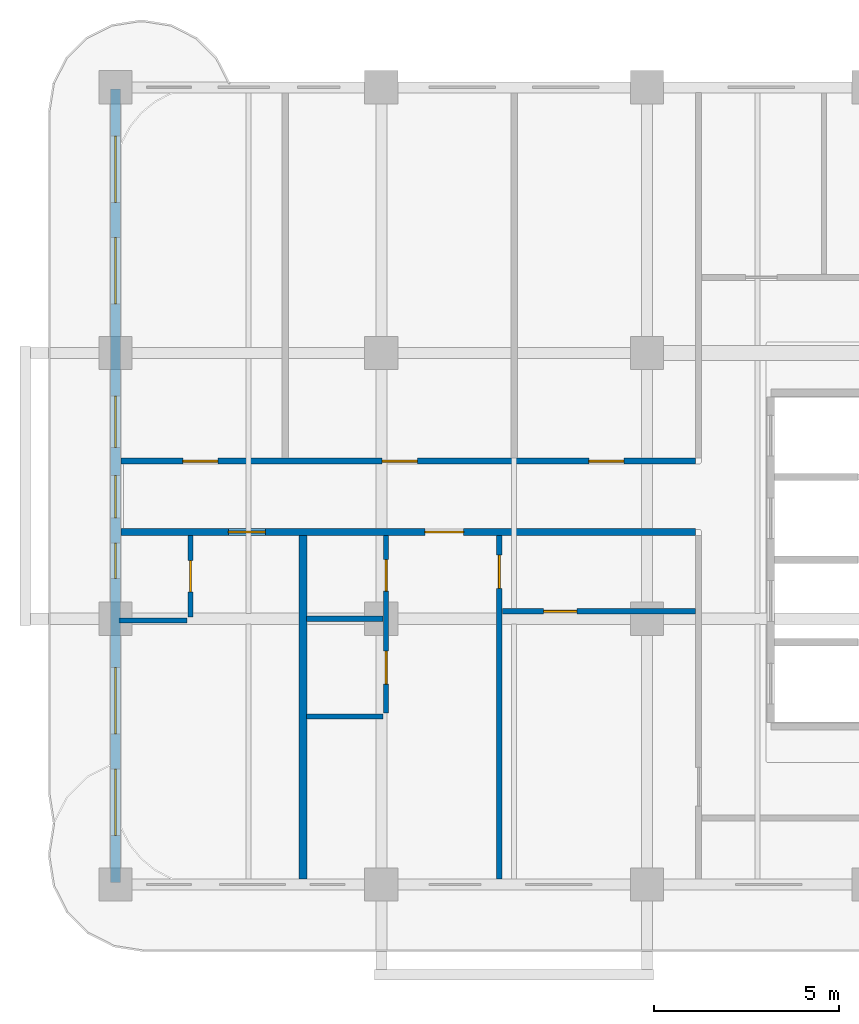
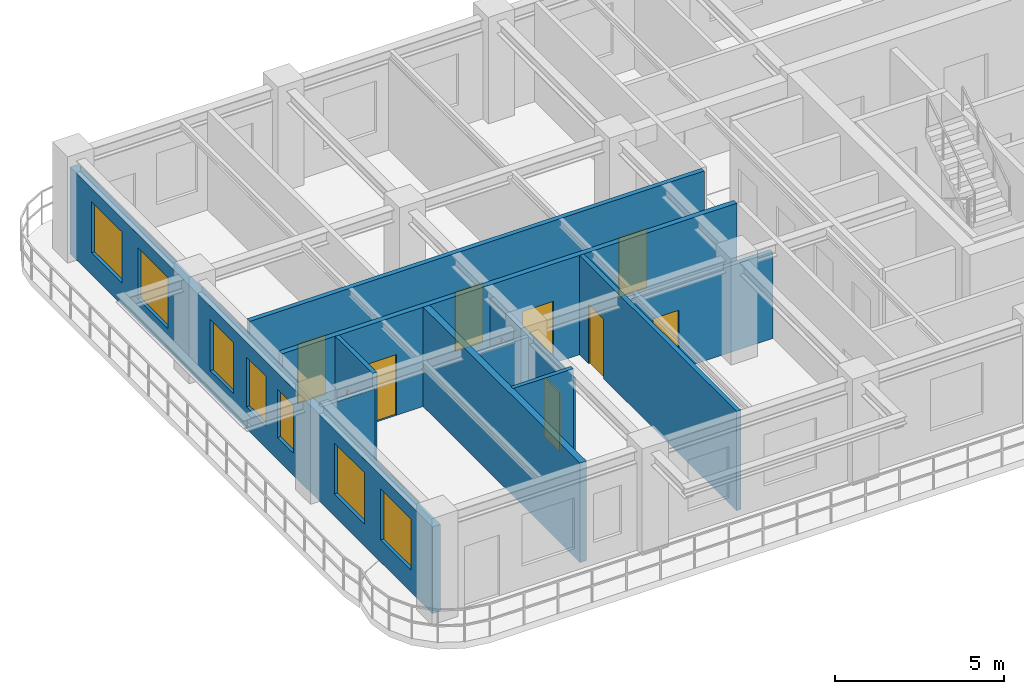
# One storey, part 2 of 7: 11 walls, 10 doors, 7 windows, 17 openings.
"""IFC4 building model written with IfcOpenShell, lengths in metres."""

from ifc_helpers import new_model, si_unit, derived_unit, direction, frame, frame_2d, origin, place, context, subcontext, project, spatial, rectangle, extrude, source, transform, mapped, material, layer, layer_set, type_object, type_shapes, element, fill, save


model = new_model("IFC4")

# Units and contexts
model_context = context("Model", 3, precision=1e-05, world=origin(), true_north=direction((0.0, 1.0)))
body_context = subcontext(model_context, "Body", "Model", "MODEL_VIEW")
ifc_project = project(units=[si_unit("LENGTHUNIT", "METRE"), si_unit("AREAUNIT", "SQUARE_METRE"), si_unit("VOLUMEUNIT", "CUBIC_METRE"), si_unit("PLANEANGLEUNIT", "RADIAN"), si_unit("MASSUNIT", "GRAM", prefix="KILO"), si_unit("THERMODYNAMICTEMPERATUREUNIT", "KELVIN"), si_unit("POWERUNIT", "WATT"), derived_unit("THERMALTRANSMITTANCEUNIT", [(si_unit("POWERUNIT", "WATT"), 1), (si_unit("AREAUNIT", "SQUARE_METRE"), -1), (si_unit("THERMODYNAMICTEMPERATUREUNIT", "KELVIN"), -1)])], contexts=[model_context])

# Site, building, storey
site_placement = place(None, origin())
site = spatial("IfcSite", under=ifc_project, at=site_placement, CompositionType="ELEMENT")
building_placement = place(site_placement, origin())
building = spatial("IfcBuilding", under=site, at=building_placement, Name="Zahravan Archway Hotel and Residences", CompositionType="ELEMENT")
storey_placement = place(building_placement, frame((0.0, 0.0, 244.25)))
storey = spatial("IfcBuildingStorey", under=building, at=storey_placement, Name="L61", CompositionType="ELEMENT", Elevation=244.25)

# Wall, openings, windows
ifc_material_1 = material(Name="Honed Red-Ochre Sandstone & Insulated Block", Category="masonry")
ifc_layer_1 = layer(ifc_material_1, 0.280029296875, Name="Honed Red-Ochre Sandstone & Insulated Block", Category="masonry")
ifc_layer_set_1 = layer_set([ifc_layer_1], Name="Honed Red-Ochre Sandstone & Insulated Block")
wall_type_1 = type_object("IfcWallType", Name="EW-LOG-280", PredefinedType="SOLIDWALL", material=ifc_layer_set_1)
wall_1_placement = place(storey_placement, frame((14.39990234375, 0.050048828125, 0.0), z_axis=(0.0, 0.0, 1.0), x_axis=(0.0, 1.0, 0.0)))
wall_1 = element("IfcWall", 1, at=wall_1_placement, inside=storey, type_object=wall_type_1, Name="L61 Exterior Sandstone Wall WA-W", PredefinedType="SOLIDWALL", context=body_context, shape_type="SweptSolid", body=[
    extrude(rectangle(XDim=21.5, YDim=0.280029296875, at=frame_2d((10.75, 0.0))), origin(), (0.0, 0.0, 1.0), 3.135009765625),
])
opening_1_placement = place(wall_1_placement, frame((1.27490234375, 0.0, 0.800048828125)))
opening_1 = element("IfcOpeningElement", 2, at=opening_1_placement, cuts=wall_1, Name="Opening W-02", PredefinedType="OPENING", context=body_context, shape_type="SweptSolid", body=[
    extrude(rectangle(XDim=1.800048828125, YDim=1.85009765625, at=frame_2d((0.89990234375, 0.925048828125))), frame((0.0, 0.14990234375, 0.0), z_axis=(0.0, -1.0, 0.0), x_axis=(1.0, 0.0, 0.0)), (0.0, 0.0, 1.0), 0.300048828125),
])
opening_2_placement = place(wall_1_placement, frame((4.02490234375, 0.0, 0.800048828125)))
opening_2 = element("IfcOpeningElement", 3, at=opening_2_placement, cuts=wall_1, Name="Opening W-02", PredefinedType="OPENING", context=body_context, shape_type="SweptSolid", body=[
    extrude(rectangle(XDim=1.800048828125, YDim=1.85009765625, at=frame_2d((0.89990234375, 0.925048828125))), frame((0.0, 0.14990234375, 0.0), z_axis=(0.0, -1.0, 0.0), x_axis=(1.0, 0.0, 0.0)), (0.0, 0.0, 1.0), 0.300048828125),
])
opening_3_placement = place(wall_1_placement, frame((8.24609375, 0.0, 0.800048828125)))
opening_3 = element("IfcOpeningElement", 4, at=opening_3_placement, cuts=wall_1, Name="Opening W-04", PredefinedType="OPENING", context=body_context, shape_type="SweptSolid", body=[
    extrude(rectangle(XDim=0.949951171875, YDim=1.75, at=frame_2d((0.47509765625, 0.875))), frame((0.0, 0.14990234375, 0.0), z_axis=(0.0, -1.0, 0.0), x_axis=(1.0, 0.0, 0.0)), (0.0, 0.0, 1.0), 0.300048828125),
])
opening_4_placement = place(wall_1_placement, frame((9.885009765625, 0.0, 0.800048828125)))
opening_4 = element("IfcOpeningElement", 5, at=opening_4_placement, cuts=wall_1, Name="Opening W-05", PredefinedType="OPENING", context=body_context, shape_type="SweptSolid", body=[
    extrude(rectangle(XDim=1.14990234375, YDim=1.800048828125, at=frame_2d((0.574951171875, 0.89990234375))), frame((0.0, 0.14990234375, 0.0), z_axis=(0.0, -1.0, 0.0), x_axis=(1.0, 0.0, 0.0)), (0.0, 0.0, 1.0), 0.300048828125),
])
opening_5_placement = place(wall_1_placement, frame((11.7890625, 0.0, 0.800048828125)))
opening_5 = element("IfcOpeningElement", 6, at=opening_5_placement, cuts=wall_1, Name="Opening W-03", PredefinedType="OPENING", context=body_context, shape_type="SweptSolid", body=[
    extrude(rectangle(XDim=1.39990234375, YDim=1.85009765625, at=frame_2d((0.699951171875, 0.925048828125))), frame((0.0, 0.14990234375, 0.0), z_axis=(0.0, -1.0, 0.0), x_axis=(1.0, 0.0, 0.0)), (0.0, 0.0, 1.0), 0.300048828125),
])
opening_6_placement = place(wall_1_placement, frame((15.675048828125, 0.0, 0.800048828125)))
opening_6 = element("IfcOpeningElement", 7, at=opening_6_placement, cuts=wall_1, Name="Opening W-02", PredefinedType="OPENING", context=body_context, shape_type="SweptSolid", body=[
    extrude(rectangle(XDim=1.800048828125, YDim=1.85009765625, at=frame_2d((0.89990234375, 0.925048828125))), frame((0.0, 0.14990234375, 0.0), z_axis=(0.0, -1.0, 0.0), x_axis=(1.0, 0.0, 0.0)), (0.0, 0.0, 1.0), 0.300048828125),
])
opening_7_placement = place(wall_1_placement, frame((18.425048828125, 0.0, 0.800048828125)))
opening_7 = element("IfcOpeningElement", 8, at=opening_7_placement, cuts=wall_1, Name="Opening W-02", PredefinedType="OPENING", context=body_context, shape_type="SweptSolid", body=[
    extrude(rectangle(XDim=1.800048828125, YDim=1.85009765625, at=frame_2d((0.89990234375, 0.925048828125))), frame((0.0, 0.14990234375, 0.0), z_axis=(0.0, -1.0, 0.0), x_axis=(1.0, 0.0, 0.0)), (0.0, 0.0, 1.0), 0.300048828125),
])
ifc_material_2 = material(Name="Bronze-Anodized Thermal-Break Aluminium & Low-E Glass", Category="aluminium")
window_type_1 = type_object("IfcWindowType", Name="WIN-TWR-1400", PartitioningType="SINGLE_PANEL", PredefinedType="WINDOW", material=ifc_material_2)
shared_shape_1 = source(origin(), body_context, "Body", "SweptSolid", [
    extrude(rectangle(XDim=1.39990234375, YDim=1.85009765625, at=frame_2d((0.699951171875, 0.925048828125))), frame((0.0, 0.030029296875, 0.0), z_axis=(0.0, -1.0, 0.0), x_axis=(1.0, 0.0, 0.0)), (0.0, 0.0, 1.0), 0.06005859375),
])
type_shapes(window_type_1, [shared_shape_1])
window_1_placement = place(opening_5_placement, origin())
window_1 = element("IfcWindow", 9, at=window_1_placement, inside=storey, type_object=window_type_1, Name="L61 Loggia Window 24", OverallHeight=1.85009765625, OverallWidth=1.39990234375, PartitioningType="SINGLE_PANEL", PredefinedType="WINDOW", context=body_context, shape_type="MappedRepresentation", body=[
    mapped(shared_shape_1, transform((0.0, 0.0, 0.0), scale=1.0)),
])
fill(opening_5, window_1)
window_type_2 = type_object("IfcWindowType", Name="WIN-NAR-950", PartitioningType="SINGLE_PANEL", PredefinedType="WINDOW", material=ifc_material_2)
shared_shape_2 = source(origin(), body_context, "Body", "SweptSolid", [
    extrude(rectangle(XDim=0.949951171875, YDim=1.75, at=frame_2d((0.47509765625, 0.875))), frame((0.0, 0.030029296875, 0.0), z_axis=(0.0, -1.0, 0.0), x_axis=(1.0, 0.0, 0.0)), (0.0, 0.0, 1.0), 0.06005859375),
])
type_shapes(window_type_2, [shared_shape_2])
window_2_placement = place(opening_3_placement, origin())
window_2 = element("IfcWindow", 10, at=window_2_placement, inside=storey, type_object=window_type_2, Name="L61 Loggia Window 22", OverallHeight=1.75, OverallWidth=0.949951171875, PartitioningType="SINGLE_PANEL", PredefinedType="WINDOW", context=body_context, shape_type="MappedRepresentation", body=[
    mapped(shared_shape_2, transform((0.0, 0.0, 0.0), scale=1.0)),
])
fill(opening_3, window_2)
window_type_3 = type_object("IfcWindowType", Name="WIN-TWR-1800", PartitioningType="DOUBLE_PANEL_VERTICAL", PredefinedType="WINDOW", material=ifc_material_2)
shared_shape_3 = source(origin(), body_context, "Body", "SweptSolid", [
    extrude(rectangle(XDim=1.800048828125, YDim=1.85009765625, at=frame_2d((0.89990234375, 0.925048828125))), frame((0.0, 0.030029296875, 0.0), z_axis=(0.0, -1.0, 0.0), x_axis=(1.0, 0.0, 0.0)), (0.0, 0.0, 1.0), 0.06005859375),
])
type_shapes(window_type_3, [shared_shape_3])
window_3_placement = place(opening_1_placement, origin())
window_3 = element("IfcWindow", 11, at=window_3_placement, inside=storey, type_object=window_type_3, Name="L61 Loggia Window 20", OverallHeight=1.85009765625, OverallWidth=1.800048828125, PartitioningType="DOUBLE_PANEL_VERTICAL", PredefinedType="WINDOW", context=body_context, shape_type="MappedRepresentation", body=[
    mapped(shared_shape_3, transform((0.0, 0.0, 0.0), scale=1.0)),
])
fill(opening_1, window_3)
window_4_placement = place(opening_2_placement, origin())
window_4 = element("IfcWindow", 12, at=window_4_placement, inside=storey, type_object=window_type_3, Name="L61 Loggia Window 21", OverallHeight=1.85009765625, OverallWidth=1.800048828125, PartitioningType="DOUBLE_PANEL_VERTICAL", PredefinedType="WINDOW", context=body_context, shape_type="MappedRepresentation", body=[
    mapped(shared_shape_3, transform((0.0, 0.0, 0.0), scale=1.0)),
])
fill(opening_2, window_4)
window_5_placement = place(opening_6_placement, origin())
window_5 = element("IfcWindow", 13, at=window_5_placement, inside=storey, type_object=window_type_3, Name="L61 Loggia Window 25", OverallHeight=1.85009765625, OverallWidth=1.800048828125, PartitioningType="DOUBLE_PANEL_VERTICAL", PredefinedType="WINDOW", context=body_context, shape_type="MappedRepresentation", body=[
    mapped(shared_shape_3, transform((0.0, 0.0, 0.0), scale=1.0)),
])
fill(opening_6, window_5)
window_6_placement = place(opening_7_placement, origin())
window_6 = element("IfcWindow", 14, at=window_6_placement, inside=storey, type_object=window_type_3, Name="L61 Loggia Window 26", OverallHeight=1.85009765625, OverallWidth=1.800048828125, PartitioningType="DOUBLE_PANEL_VERTICAL", PredefinedType="WINDOW", context=body_context, shape_type="MappedRepresentation", body=[
    mapped(shared_shape_3, transform((0.0, 0.0, 0.0), scale=1.0)),
])
fill(opening_7, window_6)
window_type_4 = type_object("IfcWindowType", Name="WIN-TWR-1150", PartitioningType="SINGLE_PANEL", PredefinedType="WINDOW", material=ifc_material_2)
shared_shape_4 = source(origin(), body_context, "Body", "SweptSolid", [
    extrude(rectangle(XDim=1.14990234375, YDim=1.800048828125, at=frame_2d((0.574951171875, 0.89990234375))), frame((0.0, 0.030029296875, 0.0), z_axis=(0.0, -1.0, 0.0), x_axis=(1.0, 0.0, 0.0)), (0.0, 0.0, 1.0), 0.06005859375),
])
type_shapes(window_type_4, [shared_shape_4])
window_7_placement = place(opening_4_placement, origin())
window_7 = element("IfcWindow", 15, at=window_7_placement, inside=storey, type_object=window_type_4, Name="L61 Loggia Window 23", OverallHeight=1.800048828125, OverallWidth=1.14990234375, PartitioningType="SINGLE_PANEL", PredefinedType="WINDOW", context=body_context, shape_type="MappedRepresentation", body=[
    mapped(shared_shape_4, transform((0.0, 0.0, 0.0), scale=1.0)),
])
fill(opening_4, window_7)

# Wall
ifc_material_3 = material(Name="Fire-Rated Gypsum & Concrete Block", Category="concrete")
ifc_layer_2 = layer(ifc_material_3, 0.219970703125, Name="Fire-Rated Gypsum & Concrete Block", Category="concrete")
ifc_layer_set_2 = layer_set([ifc_layer_2], Name="Fire-Rated Gypsum & Concrete Block")
wall_type_2 = type_object("IfcWallType", Name="PW-COMP-220", PredefinedType="PARTITIONING", material=ifc_layer_set_2)
wall_2_placement = place(storey_placement, frame((19.47998046875, 0.14794921875, 0.0), z_axis=(0.0, 0.0, 1.0), x_axis=(0.0, 1.0, 0.0)))
element("IfcWall", 16, at=wall_2_placement, inside=storey, type_object=wall_type_2, Name="L61 Partition WAS-R4", PredefinedType="PARTITIONING", context=body_context, shape_type="SweptSolid", body=[
    extrude(rectangle(XDim=9.31201171875, YDim=0.219970703125, at=frame_2d((4.656005859375, 0.0))), origin(), (0.0, 0.0, 1.0), 3.60009765625),
])

# Wall, openings, doors
ifc_layer_3 = layer(ifc_material_3, 0.159912109375, Name="Fire-Rated Gypsum & Concrete Block", Category="concrete")
ifc_layer_set_3 = layer_set([ifc_layer_3], Name="Fire-Rated Gypsum & Concrete Block")
wall_type_3 = type_object("IfcWallType", Name="PW-CORR-160", PredefinedType="PARTITIONING", material=ifc_layer_set_3)
wall_3_placement = place(storey_placement, frame((14.548095703125, 11.469970703125, 0.0), z_axis=(0.0, 0.0, 1.0), x_axis=(1.0, 0.0, 0.0)))
wall_3 = element("IfcWall", 17, at=wall_3_placement, inside=storey, type_object=wall_type_3, Name="L61 Partition WA-CN", PredefinedType="PARTITIONING", context=body_context, shape_type="SweptSolid", body=[
    extrude(rectangle(XDim=15.56201171875, YDim=0.159912109375, at=frame_2d((7.781005859375, 0.0))), origin(), (0.0, 0.0, 1.0), 3.60009765625),
])
opening_8_placement = place(wall_3_placement, frame((1.677001953125, 0.0, 0.0)))
opening_8 = element("IfcOpeningElement", 18, at=opening_8_placement, cuts=wall_3, Name="Opening D-I1", PredefinedType="OPENING", context=body_context, shape_type="SweptSolid", body=[
    extrude(rectangle(XDim=0.949951171875, YDim=2.14990234375, at=frame_2d((0.47509765625, 1.074951171875))), frame((0.0, 0.08984375, 0.0), z_axis=(0.0, -1.0, 0.0), x_axis=(1.0, 0.0, 0.0)), (0.0, 0.0, 1.0), 0.179931640625),
])
opening_9_placement = place(wall_3_placement, frame((7.076904296875, 0.0, 0.0)))
opening_9 = element("IfcOpeningElement", 19, at=opening_9_placement, cuts=wall_3, Name="Opening D-I1", PredefinedType="OPENING", context=body_context, shape_type="SweptSolid", body=[
    extrude(rectangle(XDim=0.949951171875, YDim=2.14990234375, at=frame_2d((0.47509765625, 1.074951171875))), frame((0.0, 0.08984375, 0.0), z_axis=(0.0, -1.0, 0.0), x_axis=(1.0, 0.0, 0.0)), (0.0, 0.0, 1.0), 0.179931640625),
])
opening_10_placement = place(wall_3_placement, frame((12.677001953125, 0.0, 0.0)))
opening_10 = element("IfcOpeningElement", 20, at=opening_10_placement, cuts=wall_3, Name="Opening D-I1", PredefinedType="OPENING", context=body_context, shape_type="SweptSolid", body=[
    extrude(rectangle(XDim=0.949951171875, YDim=2.14990234375, at=frame_2d((0.47509765625, 1.074951171875))), frame((0.0, 0.08984375, 0.0), z_axis=(0.0, -1.0, 0.0), x_axis=(1.0, 0.0, 0.0)), (0.0, 0.0, 1.0), 0.179931640625),
])
ifc_material_4 = material(Name="Hardwood Veneer Timber", Category="wood")
door_type_1 = type_object("IfcDoorType", Name="ID-INT-950", OperationType="NOTDEFINED", PredefinedType="DOOR", material=ifc_material_4)
shared_shape_5 = source(origin(), body_context, "Body", "SweptSolid", [
    extrude(rectangle(XDim=0.949951171875, YDim=2.14990234375, at=frame_2d((0.47509765625, 1.074951171875))), frame((0.0, 0.02490234375, 0.0), z_axis=(0.0, -1.0, 0.0), x_axis=(1.0, 0.0, 0.0)), (0.0, 0.0, 1.0), 0.050048828125),
])
type_shapes(door_type_1, [shared_shape_5])
door_1_placement = place(opening_8_placement, origin())
door_1 = element("IfcDoor", 21, at=door_1_placement, inside=storey, type_object=door_type_1, Name="L61 North Meeting Room 1 Door", OperationType="SINGLE_SWING_LEFT", OverallHeight=2.14990234375, OverallWidth=0.949951171875, PredefinedType="DOOR", context=body_context, shape_type="MappedRepresentation", body=[
    mapped(shared_shape_5, transform((0.0, 0.0, 0.0), scale=1.0)),
])
fill(opening_8, door_1)
door_2_placement = place(opening_9_placement, origin())
door_2 = element("IfcDoor", 22, at=door_2_placement, inside=storey, type_object=door_type_1, Name="L61 North Meeting Room 2 Door", OperationType="SINGLE_SWING_RIGHT", OverallHeight=2.14990234375, OverallWidth=0.949951171875, PredefinedType="DOOR", context=body_context, shape_type="MappedRepresentation", body=[
    mapped(shared_shape_5, transform((0.0, 0.0, 0.0), scale=1.0)),
])
fill(opening_9, door_2)
door_3_placement = place(opening_10_placement, origin())
door_3 = element("IfcDoor", 23, at=door_3_placement, inside=storey, type_object=door_type_1, Name="L61 North Conference Room Door", OperationType="SINGLE_SWING_LEFT", OverallHeight=2.14990234375, OverallWidth=0.949951171875, PredefinedType="DOOR", context=body_context, shape_type="MappedRepresentation", body=[
    mapped(shared_shape_5, transform((0.0, 0.0, 0.0), scale=1.0)),
])
fill(opening_10, door_3)

ifc_layer_4 = layer(ifc_material_3, 0.179931640625, Name="Fire-Rated Gypsum & Concrete Block", Category="concrete")
ifc_layer_set_4 = layer_set([ifc_layer_4], Name="Fire-Rated Gypsum & Concrete Block")
wall_type_4 = type_object("IfcWallType", Name="PW-CORR-180", PredefinedType="PARTITIONING", material=ifc_layer_set_4)
wall_4_placement = place(storey_placement, frame((14.548095703125, 9.550048828125, 0.0), z_axis=(0.0, 0.0, 1.0), x_axis=(1.0, 0.0, 0.0)))
wall_4 = element("IfcWall", 24, at=wall_4_placement, inside=storey, type_object=wall_type_4, Name="L61 Partition WA-CS", PredefinedType="PARTITIONING", context=body_context, shape_type="SweptSolid", body=[
    extrude(rectangle(XDim=15.56201171875, YDim=0.179931640625, at=frame_2d((7.781005859375, 0.0))), origin(), (0.0, 0.0, 1.0), 3.60009765625),
])
opening_11_placement = place(wall_4_placement, frame((2.907958984375, 0.0, 0.0)))
opening_11 = element("IfcOpeningElement", 25, at=opening_11_placement, cuts=wall_4, Name="Opening D-U2", PredefinedType="OPENING", context=body_context, shape_type="SweptSolid", body=[
    extrude(rectangle(XDim=1.0, YDim=2.199951171875, at=frame_2d((0.5, 1.10009765625))), frame((0.0, 0.10009765625, 0.0), z_axis=(0.0, -1.0, 0.0), x_axis=(1.0, 0.0, 0.0)), (0.0, 0.0, 1.0), 0.199951171875),
])
opening_12_placement = place(wall_4_placement, frame((8.23193359375, 0.0, 0.0)))
opening_12 = element("IfcOpeningElement", 26, at=opening_12_placement, cuts=wall_4, Name="Opening D-U1", PredefinedType="OPENING", context=body_context, shape_type="SweptSolid", body=[
    extrude(rectangle(XDim=1.050048828125, YDim=2.25, at=frame_2d((0.52490234375, 1.125))), frame((0.0, 0.10009765625, 0.0), z_axis=(0.0, -1.0, 0.0), x_axis=(1.0, 0.0, 0.0)), (0.0, 0.0, 1.0), 0.199951171875),
])
door_type_2 = type_object("IfcDoorType", Name="ID-UNIT-1050", OperationType="NOTDEFINED", PredefinedType="DOOR", material=ifc_material_4)
shared_shape_6 = source(origin(), body_context, "Body", "SweptSolid", [
    extrude(rectangle(XDim=1.050048828125, YDim=2.25, at=frame_2d((0.52490234375, 1.125))), frame((0.0, 0.02490234375, 0.0), z_axis=(0.0, -1.0, 0.0), x_axis=(1.0, 0.0, 0.0)), (0.0, 0.0, 1.0), 0.050048828125),
])
type_shapes(door_type_2, [shared_shape_6])
door_4_placement = place(opening_12_placement, origin())
door_4 = element("IfcDoor", 27, at=door_4_placement, inside=storey, type_object=door_type_2, Name="L61 Flat S1 Entrance Door", OperationType="SINGLE_SWING_RIGHT", OverallHeight=2.25, OverallWidth=1.050048828125, PredefinedType="DOOR", context=body_context, shape_type="MappedRepresentation", body=[
    mapped(shared_shape_6, transform((0.0, 0.0, 0.0), scale=1.0)),
])
fill(opening_12, door_4)
door_type_3 = type_object("IfcDoorType", Name="ID-UNIT-1000", OperationType="NOTDEFINED", PredefinedType="DOOR", material=ifc_material_4)
shared_shape_7 = source(origin(), body_context, "Body", "SweptSolid", [
    extrude(rectangle(XDim=1.0, YDim=2.199951171875, at=frame_2d((0.5, 1.10009765625))), frame((0.0, 0.02490234375, 0.0), z_axis=(0.0, -1.0, 0.0), x_axis=(1.0, 0.0, 0.0)), (0.0, 0.0, 1.0), 0.050048828125),
])
type_shapes(door_type_3, [shared_shape_7])
door_5_placement = place(opening_11_placement, origin())
door_5 = element("IfcDoor", 28, at=door_5_placement, inside=storey, type_object=door_type_3, Name="L61 Hotel Guestroom 91 Entrance Door", OperationType="SINGLE_SWING_LEFT", OverallHeight=2.199951171875, OverallWidth=1.0, PredefinedType="DOOR", context=body_context, shape_type="MappedRepresentation", body=[
    mapped(shared_shape_7, transform((0.0, 0.0, 0.0), scale=1.0)),
])
fill(opening_11, door_5)

# Wall, opening, door
ifc_material_5 = material(Name="Acoustic Stud Partition")
ifc_layer_5 = layer(ifc_material_5, 0.14990234375, Name="Acoustic Stud Partition")
ifc_layer_set_5 = layer_set([ifc_layer_5], Name="Acoustic Stud Partition")
wall_type_5 = type_object("IfcWallType", Name="PW-UNIT-150", PredefinedType="PARTITIONING", material=ifc_layer_set_5)
wall_5_placement = place(storey_placement, frame((24.800048828125, 0.14794921875, 0.0), z_axis=(0.0, 0.0, 1.0), x_axis=(0.0, 1.0, 0.0)))
wall_5 = element("IfcWall", 29, at=wall_5_placement, inside=storey, type_object=wall_type_5, Name="L61 Partition FL-S1-SP", PredefinedType="PARTITIONING", context=body_context, shape_type="SweptSolid", body=[
    extrude(rectangle(XDim=9.31201171875, YDim=0.14990234375, at=frame_2d((4.656005859375, 0.0))), origin(), (0.0, 0.0, 1.0), 3.60009765625),
])
opening_13_placement = place(wall_5_placement, frame((7.876953125, 0.0, 0.0)))
opening_13 = element("IfcOpeningElement", 30, at=opening_13_placement, cuts=wall_5, Name="Opening D-I2", PredefinedType="OPENING", context=body_context, shape_type="SweptSolid", body=[
    extrude(rectangle(XDim=0.89990234375, YDim=2.14990234375, at=frame_2d((0.449951171875, 1.074951171875))), frame((0.0, 0.0849609375, 0.0), z_axis=(0.0, -1.0, 0.0), x_axis=(1.0, 0.0, 0.0)), (0.0, 0.0, 1.0), 0.169921875),
])
door_type_4 = type_object("IfcDoorType", Name="ID-INT-900", OperationType="NOTDEFINED", PredefinedType="DOOR", material=ifc_material_4)
shared_shape_8 = source(origin(), body_context, "Body", "SweptSolid", [
    extrude(rectangle(XDim=0.89990234375, YDim=2.14990234375, at=frame_2d((0.449951171875, 1.074951171875))), frame((0.0, 0.02490234375, 0.0), z_axis=(0.0, -1.0, 0.0), x_axis=(1.0, 0.0, 0.0)), (0.0, 0.0, 1.0), 0.050048828125),
])
type_shapes(door_type_4, [shared_shape_8])
door_6_placement = place(opening_13_placement, origin())
door_6 = element("IfcDoor", 31, at=door_6_placement, inside=storey, type_object=door_type_4, Name="L61 Flat S1 Bedroom Hall Door", OperationType="SINGLE_SWING_LEFT", OverallHeight=2.14990234375, OverallWidth=0.89990234375, PredefinedType="DOOR", context=body_context, shape_type="MappedRepresentation", body=[
    mapped(shared_shape_8, transform((0.0, 0.0, 0.0), scale=1.0)),
])
fill(opening_13, door_6)

wall_6_placement = place(storey_placement, frame((24.889892578125, 7.39990234375, 0.0), z_axis=(0.0, 0.0, 1.0), x_axis=(1.0, 0.0, 0.0)))
wall_6 = element("IfcWall", 32, at=wall_6_placement, inside=storey, type_object=wall_type_5, Name="L61 Partition FL-S1-GH", PredefinedType="PARTITIONING", context=body_context, shape_type="SweptSolid", body=[
    extrude(rectangle(XDim=5.22021484375, YDim=0.14990234375, at=frame_2d((2.610107421875, 0.0))), origin(), (0.0, 0.0, 1.0), 3.135009765625),
])
opening_14_placement = place(wall_6_placement, frame((1.110107421875, 0.0, 0.0)))
opening_14 = element("IfcOpeningElement", 33, at=opening_14_placement, cuts=wall_6, Name="Opening D-I2", PredefinedType="OPENING", context=body_context, shape_type="SweptSolid", body=[
    extrude(rectangle(XDim=0.89990234375, YDim=2.14990234375, at=frame_2d((0.449951171875, 1.074951171875))), frame((0.0, 0.0849609375, 0.0), z_axis=(0.0, -1.0, 0.0), x_axis=(1.0, 0.0, 0.0)), (0.0, 0.0, 1.0), 0.169921875),
])
door_7_placement = place(opening_14_placement, origin())
door_7 = element("IfcDoor", 34, at=door_7_placement, inside=storey, type_object=door_type_4, Name="L61 Flat S1 Bedroom 1 Door", OperationType="SINGLE_SWING_RIGHT", OverallHeight=2.14990234375, OverallWidth=0.89990234375, PredefinedType="DOOR", context=body_context, shape_type="MappedRepresentation", body=[
    mapped(shared_shape_8, transform((0.0, 0.0, 0.0), scale=1.0)),
])
fill(opening_14, door_7)

ifc_material_6 = material(Name="Moisture-Resistant Blockwork", Category="masonry")
ifc_layer_6 = layer(ifc_material_6, 0.139892578125, Name="Moisture-Resistant Blockwork", Category="masonry")
ifc_layer_set_6 = layer_set([ifc_layer_6], Name="Moisture-Resistant Blockwork")
wall_type_6 = type_object("IfcWallType", Name="PW-WET-140", PredefinedType="PARTITIONING", material=ifc_layer_set_6)
wall_7_placement = place(storey_placement, frame((16.431884765625, 7.239990234375, 0.0), z_axis=(0.0, 0.0, 1.0), x_axis=(0.0, 1.0, 0.0)))
wall_7 = element("IfcWall", 35, at=wall_7_placement, inside=storey, type_object=wall_type_6, Name="L61 Partition HKB-V91", PredefinedType="PARTITIONING", context=body_context, shape_type="SweptSolid", body=[
    extrude(rectangle(XDim=2.219970703125, YDim=0.139892578125, at=frame_2d((1.10986328125, 0.0))), origin(), (0.0, 0.0, 1.0), 3.60009765625),
])
opening_15_placement = place(wall_7_placement, frame((0.68505859375, 0.0, 0.0)))
opening_15 = element("IfcOpeningElement", 36, at=opening_15_placement, cuts=wall_7, Name="Opening D-B1", PredefinedType="OPENING", context=body_context, shape_type="SweptSolid", body=[
    extrude(rectangle(XDim=0.85009765625, YDim=2.10009765625, at=frame_2d((0.425048828125, 1.050048828125))), frame((0.0, 0.080078125, 0.0), z_axis=(0.0, -1.0, 0.0), x_axis=(1.0, 0.0, 0.0)), (0.0, 0.0, 1.0), 0.159912109375),
])
door_type_5 = type_object("IfcDoorType", Name="ID-BATH-850", OperationType="NOTDEFINED", PredefinedType="DOOR", material=ifc_material_4)
shared_shape_9 = source(origin(), body_context, "Body", "SweptSolid", [
    extrude(rectangle(XDim=0.85009765625, YDim=2.10009765625, at=frame_2d((0.425048828125, 1.050048828125))), frame((0.0, 0.02490234375, 0.0), z_axis=(0.0, -1.0, 0.0), x_axis=(1.0, 0.0, 0.0)), (0.0, 0.0, 1.0), 0.050048828125),
])
type_shapes(door_type_5, [shared_shape_9])
door_8_placement = place(opening_15_placement, origin())
door_8 = element("IfcDoor", 37, at=door_8_placement, inside=storey, type_object=door_type_5, Name="L61 Guestroom 91 En-Suite Door", OperationType="SINGLE_SWING_RIGHT", OverallHeight=2.10009765625, OverallWidth=0.85009765625, PredefinedType="DOOR", context=body_context, shape_type="MappedRepresentation", body=[
    mapped(shared_shape_9, transform((0.0, 0.0, 0.0), scale=1.0)),
])
fill(opening_15, door_8)

# Wall
wall_8_placement = place(storey_placement, frame((14.489990234375, 7.14990234375, 0.0), z_axis=(0.0, 0.0, 1.0), x_axis=(1.0, 0.0, 0.0)))
element("IfcWall", 38, at=wall_8_placement, inside=storey, type_object=wall_type_6, Name="L61 Partition HKB-H91", PredefinedType="PARTITIONING", context=body_context, shape_type="SweptSolid", body=[
    extrude(rectangle(XDim=1.85205078125, YDim=0.139892578125, at=frame_2d((0.926025390625, 0.0))), origin(), (0.0, 0.0, 1.0), 3.135009765625),
])

# Wall, openings, doors
wall_9_placement = place(storey_placement, frame((21.72998046875, 4.639892578125, 0.0), z_axis=(0.0, 0.0, 1.0), x_axis=(0.0, 1.0, 0.0)))
wall_9 = element("IfcWall", 39, at=wall_9_placement, inside=storey, type_object=wall_type_6, Name="L61 Partition FL-S1-BV", PredefinedType="PARTITIONING", context=body_context, shape_type="SweptSolid", body=[
    extrude(rectangle(XDim=4.820068359375, YDim=0.139892578125, at=frame_2d((2.41015625, 0.0))), origin(), (0.0, 0.0, 1.0), 3.135009765625),
])
opening_16_placement = place(wall_9_placement, frame((0.784912109375, 0.0, 0.0)))
opening_16 = element("IfcOpeningElement", 40, at=opening_16_placement, cuts=wall_9, Name="Opening D-I2", PredefinedType="OPENING", context=body_context, shape_type="SweptSolid", body=[
    extrude(rectangle(XDim=0.89990234375, YDim=2.14990234375, at=frame_2d((0.449951171875, 1.074951171875))), frame((0.0, 0.080078125, 0.0), z_axis=(0.0, -1.0, 0.0), x_axis=(1.0, 0.0, 0.0)), (0.0, 0.0, 1.0), 0.159912109375),
])
opening_17_placement = place(wall_9_placement, frame((3.31005859375, 0.0, 0.0)))
opening_17 = element("IfcOpeningElement", 41, at=opening_17_placement, cuts=wall_9, Name="Opening D-B1", PredefinedType="OPENING", context=body_context, shape_type="SweptSolid", body=[
    extrude(rectangle(XDim=0.85009765625, YDim=2.10009765625, at=frame_2d((0.425048828125, 1.050048828125))), frame((0.0, 0.080078125, 0.0), z_axis=(0.0, -1.0, 0.0), x_axis=(1.0, 0.0, 0.0)), (0.0, 0.0, 1.0), 0.159912109375),
])
door_9_placement = place(opening_17_placement, origin())
door_9 = element("IfcDoor", 42, at=door_9_placement, inside=storey, type_object=door_type_5, Name="L61 Flat S1 Bathroom Door", OperationType="SINGLE_SWING_RIGHT", OverallHeight=2.10009765625, OverallWidth=0.85009765625, PredefinedType="DOOR", context=body_context, shape_type="MappedRepresentation", body=[
    mapped(shared_shape_9, transform((0.0, 0.0, 0.0), scale=1.0)),
])
fill(opening_17, door_9)
door_10_placement = place(opening_16_placement, origin())
door_10 = element("IfcDoor", 43, at=door_10_placement, inside=storey, type_object=door_type_4, Name="L61 Flat S1 Kitchen Door", OperationType="SINGLE_SWING_LEFT", OverallHeight=2.14990234375, OverallWidth=0.89990234375, PredefinedType="DOOR", context=body_context, shape_type="MappedRepresentation", body=[
    mapped(shared_shape_8, transform((0.0, 0.0, 0.0), scale=1.0)),
])
fill(opening_16, door_10)

# Walls
wall_10_placement = place(storey_placement, frame((19.570068359375, 7.199951171875, 0.0), z_axis=(0.0, 0.0, 1.0), x_axis=(1.0, 0.0, 0.0)))
element("IfcWall", 44, at=wall_10_placement, inside=storey, type_object=wall_type_6, Name="L61 Partition FL-S1-BM", PredefinedType="PARTITIONING", context=body_context, shape_type="SweptSolid", body=[
    extrude(rectangle(XDim=2.06982421875, YDim=0.139892578125, at=frame_2d((1.034912109375, 0.0))), origin(), (0.0, 0.0, 1.0), 3.135009765625),
])
wall_11_placement = place(storey_placement, frame((19.570068359375, 4.550048828125, 0.0), z_axis=(0.0, 0.0, 1.0), x_axis=(1.0, 0.0, 0.0)))
element("IfcWall", 45, at=wall_11_placement, inside=storey, type_object=wall_type_6, Name="L61 Partition FL-S1-KH", PredefinedType="PARTITIONING", context=body_context, shape_type="SweptSolid", body=[
    extrude(rectangle(XDim=2.06982421875, YDim=0.139892578125, at=frame_2d((1.034912109375, 0.0))), origin(), (0.0, 0.0, 1.0), 3.60009765625),
])

save(model, "model.ifc")
